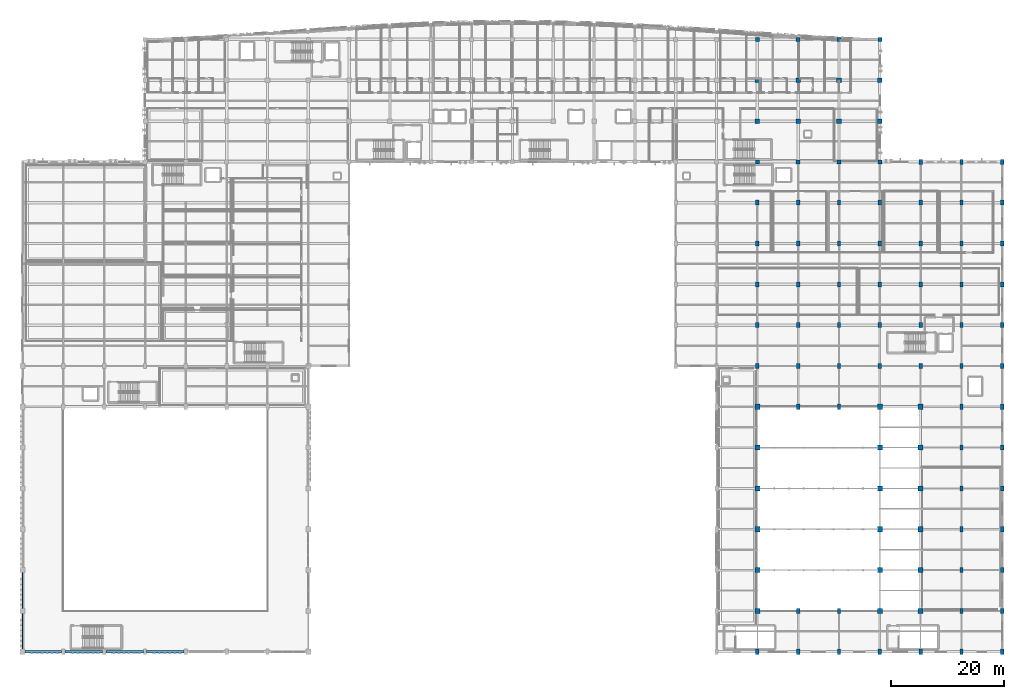
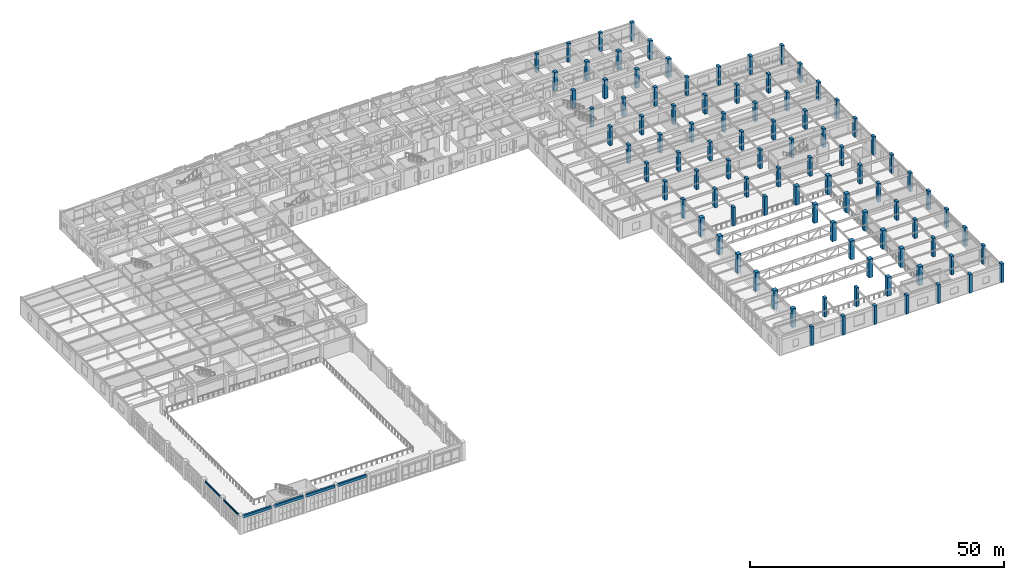
# One storey, part 11 of 106: 95 columns, 6 beams.
"""IFC4 building model written with IfcOpenShell, lengths in metres."""

from ifc_helpers import new_model, si_unit, direction, frame, origin, origin_2d, place, context, subcontext, project, spatial, rectangle, i_section, extrude, material, material_profile, profile_set, type_object, element, save


model = new_model("IFC4")

# Units and contexts
model_context = context("Model", 3, precision=1e-05, world=origin(), true_north=direction((0.0, 1.0)))
body_context = subcontext(model_context, "Body", "Model", "MODEL_VIEW")
ifc_project = project(units=[si_unit("LENGTHUNIT", "METRE"), si_unit("AREAUNIT", "SQUARE_METRE"), si_unit("VOLUMEUNIT", "CUBIC_METRE"), si_unit("PLANEANGLEUNIT", "RADIAN"), si_unit("MASSUNIT", "GRAM", prefix="KILO")], contexts=[model_context])

# Site, building, storey
site_placement = place(None, origin())
site = spatial("IfcSite", under=ifc_project, at=site_placement, CompositionType="ELEMENT")
building_placement = place(site_placement, origin())
building = spatial("IfcBuilding", under=site, at=building_placement, Name="Carrowvane Square Congress Hotel", CompositionType="ELEMENT")
storey_placement = place(building_placement, frame((0.0, 0.0, 10.5)))
storey = spatial("IfcBuildingStorey", under=building, at=storey_placement, Name="L02", CompositionType="ELEMENT", Elevation=10.5)

# Columns
ifc_material_1 = material(Name="Concrete C40/50", Category="concrete")
ifc_material_profile_1 = material_profile(ifc_material_1, rectangle(XDim=0.60009765625, YDim=0.89990234375, at=origin_2d()), Name="RC 600x900")
ifc_profile_set_1 = profile_set([ifc_material_profile_1], Name="Concrete C40/50")
column_type_1 = type_object("IfcColumnType", Name="COL-RC-600x900", PredefinedType="COLUMN", material=ifc_profile_set_1)
for number, where, z_axis, x_axis, name in (
    (1, (141.199951171875, 5.39990234375, 0.0), (0.0, 0.0, 1.0), (1.0, 0.0, 0.0), "L02 column 19/A"),
    (2, (141.199951171875, 55.800048828125, 0.0), (0.0, 0.0, 1.0), (1.0, 0.0, 0.0), "L02 column 19/H"),
    (3, (141.199951171875, 63.0, 0.0), (0.0, 0.0, 1.0), (1.0, 0.0, 0.0), "L02 column 19/J"),
    (4, (141.199951171875, 70.199951171875, 0.0), (0.0, 0.0, 1.0), (1.0, 0.0, 0.0), "L02 column 19/K"),
    (5, (141.199951171875, 77.39990234375, 0.0), (0.0, 0.0, 1.0), (1.0, 0.0, 0.0), "L02 column 19/L"),
    (6, (141.199951171875, 84.60009765625, 0.0), (0.0, 0.0, 1.0), (1.0, 0.0, 0.0), "L02 column 19/M"),
    (7, (148.39990234375, 5.39990234375, 0.0), (0.0, 0.0, 1.0), (1.0, 0.0, 0.0), "L02 column 20/A"),
    (8, (148.39990234375, 12.60009765625, 0.0), (0.0, 0.0, 1.0), (1.0, 0.0, 0.0), "L02 column 20/B"),
    (9, (148.39990234375, 48.60009765625, 0.0), (0.0, 0.0, 1.0), (1.0, 0.0, 0.0), "L02 column 20/G"),
    (10, (148.39990234375, 55.800048828125, 0.0), (0.0, 0.0, 1.0), (1.0, 0.0, 0.0), "L02 column 20/H"),
    (11, (148.39990234375, 63.0, 0.0), (0.0, 0.0, 1.0), (1.0, 0.0, 0.0), "L02 column 20/J"),
    (12, (148.39990234375, 70.199951171875, 0.0), (0.0, 0.0, 1.0), (1.0, 0.0, 0.0), "L02 column 20/K"),
    (13, (148.39990234375, 77.39990234375, 0.0), (0.0, 0.0, 1.0), (1.0, 0.0, 0.0), "L02 column 20/L"),
    (14, (148.39990234375, 84.60009765625, 0.0), (0.0, 0.0, 1.0), (1.0, 0.0, 0.0), "L02 column 20/M"),
    (15, (155.60009765625, 5.39990234375, 0.0), (0.0, 0.0, 1.0), (1.0, 0.0, 0.0), "L02 column 21/A"),
    (16, (155.60009765625, 12.60009765625, 0.0), (0.0, 0.0, 1.0), (1.0, 0.0, 0.0), "L02 column 21/B"),
    (17, (155.60009765625, 48.60009765625, 0.0), (0.0, 0.0, 1.0), (1.0, 0.0, 0.0), "L02 column 21/G"),
    (18, (155.60009765625, 55.800048828125, 0.0), (0.0, 0.0, 1.0), (1.0, 0.0, 0.0), "L02 column 21/H"),
    (19, (155.60009765625, 63.0, 0.0), (0.0, 0.0, 1.0), (1.0, 0.0, 0.0), "L02 column 21/J"),
    (20, (155.60009765625, 70.199951171875, 0.0), (0.0, 0.0, 1.0), (1.0, 0.0, 0.0), "L02 column 21/K"),
    (21, (155.60009765625, 77.39990234375, 0.0), (0.0, 0.0, 1.0), (1.0, 0.0, 0.0), "L02 column 21/L"),
    (22, (155.60009765625, 84.60009765625, 0.0), (0.0, 0.0, 1.0), (1.0, 0.0, 0.0), "L02 column 21/M"),
    (23, (162.800048828125, 5.39990234375, 0.0), (0.0, 0.0, 1.0), (1.0, 0.0, 0.0), "L02 column 22/A"),
    (24, (162.800048828125, 55.800048828125, 0.0), (0.0, 0.0, 1.0), (1.0, 0.0, 0.0), "L02 column 22/H"),
    (25, (162.800048828125, 63.0, 0.0), (0.0, 0.0, 1.0), (1.0, 0.0, 0.0), "L02 column 22/J"),
    (26, (162.800048828125, 70.199951171875, 0.0), (0.0, 0.0, 1.0), (1.0, 0.0, 0.0), "L02 column 22/K"),
    (27, (162.800048828125, 77.39990234375, 0.0), (0.0, 0.0, 1.0), (1.0, 0.0, 0.0), "L02 column 22/L"),
    (28, (162.800048828125, 84.60009765625, 0.0), (0.0, 0.0, 1.0), (1.0, 0.0, 0.0), "L02 column 22/M"),
    (29, (170.0, 5.39990234375, 0.0), (0.0, 0.0, 1.0), (1.0, 0.0, 0.0), "L02 column 23/A"),
    (30, (170.0, 55.800048828125, 0.0), (0.0, 0.0, 1.0), (1.0, 0.0, 0.0), "L02 column 23/H"),
    (31, (170.0, 63.0, 0.0), (0.0, 0.0, 1.0), (1.0, 0.0, 0.0), "L02 column 23/J"),
    (32, (170.0, 70.199951171875, 0.0), (0.0, 0.0, 1.0), (1.0, 0.0, 0.0), "L02 column 23/K"),
    (33, (170.0, 77.39990234375, 0.0), (0.0, 0.0, 1.0), (1.0, 0.0, 0.0), "L02 column 23/L"),
    (34, (170.0, 84.60009765625, 0.0), (0.0, 0.0, 1.0), (1.0, 0.0, 0.0), "L02 column 23/M"),
    (35, (170.0, 91.800048828125, 0.0), (0.0, 0.0, 1.0), (1.0, 0.0, 0.0), "L02 column 23/N"),
    (36, (177.199951171875, 5.39990234375, 0.0), (0.0, 0.0, 1.0), (1.0, 0.0, 0.0), "L02 column 24/A"),
    (37, (177.199951171875, 12.60009765625, 0.0), (0.0, 0.0, 1.0), (1.0, 0.0, 0.0), "L02 column 24/B"),
    (38, (177.199951171875, 19.800048828125, 0.0), (0.0, 0.0, 1.0), (1.0, 0.0, 0.0), "L02 column 24/C"),
    (39, (177.199951171875, 27.0, 0.0), (0.0, 0.0, 1.0), (1.0, 0.0, 0.0), "L02 column 24/D"),
    (40, (177.199951171875, 34.199951171875, 0.0), (0.0, 0.0, 1.0), (1.0, 0.0, 0.0), "L02 column 24/E"),
    (41, (177.199951171875, 41.39990234375, 0.0), (0.0, 0.0, 1.0), (1.0, 0.0, 0.0), "L02 column 24/F"),
    (42, (177.199951171875, 48.60009765625, 0.0), (0.0, 0.0, 1.0), (1.0, 0.0, 0.0), "L02 column 24/G"),
    (43, (177.199951171875, 55.800048828125, 0.0), (0.0, 0.0, 1.0), (1.0, 0.0, 0.0), "L02 column 24/H"),
    (44, (177.199951171875, 63.0, 0.0), (0.0, 0.0, 1.0), (1.0, 0.0, 0.0), "L02 column 24/J"),
    (45, (177.199951171875, 70.199951171875, 0.0), (0.0, 0.0, 1.0), (1.0, 0.0, 0.0), "L02 column 24/K"),
    (46, (177.199951171875, 77.39990234375, 0.0), (0.0, 0.0, 1.0), (1.0, 0.0, 0.0), "L02 column 24/L"),
    (47, (177.199951171875, 84.60009765625, 0.0), (0.0, 0.0, 1.0), (1.0, 0.0, 0.0), "L02 column 24/M"),
    (48, (177.199951171875, 91.800048828125, 0.0), (0.0, 0.0, 1.0), (1.0, 0.0, 0.0), "L02 column 24/N"),
    (49, (184.39990234375, 5.39990234375, 0.0), (0.0, 0.0, 1.0), (1.0, 0.0, 0.0), "L02 column 25/A"),
    (50, (184.39990234375, 12.60009765625, 0.0), (0.0, 0.0, 1.0), (1.0, 0.0, 0.0), "L02 column 25/B"),
    (51, (184.39990234375, 19.800048828125, 0.0), (0.0, 0.0, 1.0), (1.0, 0.0, 0.0), "L02 column 25/C"),
    (52, (184.39990234375, 27.0, 0.0), (0.0, 0.0, 1.0), (1.0, 0.0, 0.0), "L02 column 25/D"),
    (53, (184.39990234375, 34.199951171875, 0.0), (0.0, 0.0, 1.0), (1.0, 0.0, 0.0), "L02 column 25/E"),
    (54, (184.39990234375, 41.39990234375, 0.0), (0.0, 0.0, 1.0), (1.0, 0.0, 0.0), "L02 column 25/F"),
    (55, (184.39990234375, 48.60009765625, 0.0), (0.0, 0.0, 1.0), (1.0, 0.0, 0.0), "L02 column 25/G"),
    (56, (184.39990234375, 55.800048828125, 0.0), (0.0, 0.0, 1.0), (1.0, 0.0, 0.0), "L02 column 25/H"),
    (57, (184.39990234375, 63.0, 0.0), (0.0, 0.0, 1.0), (1.0, 0.0, 0.0), "L02 column 25/J"),
    (58, (184.39990234375, 70.199951171875, 0.0), (0.0, 0.0, 1.0), (1.0, 0.0, 0.0), "L02 column 25/K"),
    (59, (184.39990234375, 77.39990234375, 0.0), (0.0, 0.0, 1.0), (1.0, 0.0, 0.0), "L02 column 25/L"),
    (60, (184.39990234375, 84.60009765625, 0.0), (0.0, 0.0, 1.0), (1.0, 0.0, 0.0), "L02 column 25/M"),
    (61, (184.39990234375, 91.800048828125, 0.0), (0.0, 0.0, 1.0), (1.0, 0.0, 0.0), "L02 column 25/N"),
):
    element("IfcColumn", number, at=place(storey_placement, frame(where, z_axis=z_axis, x_axis=x_axis)), inside=storey, type_object=column_type_1, Name=name, PredefinedType="COLUMN", context=body_context, shape_type="SweptSolid", body=[
        extrude(rectangle(XDim=0.60009765625, YDim=0.89990234375, at=origin_2d()), origin(), (0.0, 0.0, 1.0), 4.5),
    ])
ifc_material_2 = material(Name="Concrete C40/50", Category="concrete")
ifc_material_profile_2 = material_profile(ifc_material_2, rectangle(XDim=0.699951171875, YDim=0.699951171875, at=origin_2d()), Name="RC 700x700")
ifc_profile_set_2 = profile_set([ifc_material_profile_2], Name="Concrete C40/50")
column_type_2 = type_object("IfcColumnType", Name="COL-RC-700", PredefinedType="COLUMN", material=ifc_profile_set_2)
for number, where, z_axis, x_axis, name in (
    (62, (141.199951171875, 91.800048828125, 0.0), (0.0, 0.0, 1.0), (1.0, 0.0, 0.0), "L02 column 19/N"),
    (63, (141.199951171875, 113.39990234375, 0.0), (0.0, 0.0, 1.0), (1.0, 0.0, 0.0), "L02 column 19/R"),
    (64, (148.39990234375, 91.800048828125, 0.0), (0.0, 0.0, 1.0), (1.0, 0.0, 0.0), "L02 column 20/N"),
    (65, (148.39990234375, 113.39990234375, 0.0), (0.0, 0.0, 1.0), (1.0, 0.0, 0.0), "L02 column 20/R"),
    (66, (155.60009765625, 91.800048828125, 0.0), (0.0, 0.0, 1.0), (1.0, 0.0, 0.0), "L02 column 21/N"),
    (67, (155.60009765625, 113.39990234375, 0.0), (0.0, 0.0, 1.0), (1.0, 0.0, 0.0), "L02 column 21/R"),
    (68, (162.800048828125, 91.800048828125, 0.0), (0.0, 0.0, 1.0), (1.0, 0.0, 0.0), "L02 column 22/N"),
    (69, (162.800048828125, 113.39990234375, 0.0), (0.0, 0.0, 1.0), (1.0, 0.0, 0.0), "L02 column 22/R"),
):
    element("IfcColumn", number, at=place(storey_placement, frame(where, z_axis=z_axis, x_axis=x_axis)), inside=storey, type_object=column_type_2, Name=name, PredefinedType="COLUMN", context=body_context, shape_type="SweptSolid", body=[
        extrude(rectangle(XDim=0.699951171875, YDim=0.699951171875, at=origin_2d()), origin(), (0.0, 0.0, 1.0), 4.5),
    ])
ifc_material_3 = material(Name="Concrete C40/50", Category="concrete")
ifc_material_profile_3 = material_profile(ifc_material_3, rectangle(XDim=0.800048828125, YDim=0.800048828125, at=origin_2d()), Name="RC 800x800")
ifc_profile_set_3 = profile_set([ifc_material_profile_3], Name="Concrete C40/50")
column_type_3 = type_object("IfcColumnType", Name="COL-RC-800", PredefinedType="COLUMN", material=ifc_profile_set_3)
for number, where, z_axis, x_axis, name in (
    (70, (141.199951171875, 99.0, 0.0), (0.0, 0.0, 1.0), (1.0, 0.0, 0.0), "L02 column 19/P"),
    (71, (141.199951171875, 106.199951171875, 0.0), (0.0, 0.0, 1.0), (1.0, 0.0, 0.0), "L02 column 19/Q"),
    (72, (148.39990234375, 99.0, 0.0), (0.0, 0.0, 1.0), (1.0, 0.0, 0.0), "L02 column 20/P"),
    (73, (148.39990234375, 106.199951171875, 0.0), (0.0, 0.0, 1.0), (1.0, 0.0, 0.0), "L02 column 20/Q"),
    (74, (155.60009765625, 99.0, 0.0), (0.0, 0.0, 1.0), (1.0, 0.0, 0.0), "L02 column 21/P"),
    (75, (155.60009765625, 106.199951171875, 0.0), (0.0, 0.0, 1.0), (1.0, 0.0, 0.0), "L02 column 21/Q"),
    (76, (162.800048828125, 99.0, 0.0), (0.0, 0.0, 1.0), (1.0, 0.0, 0.0), "L02 column 22/P"),
    (77, (162.800048828125, 106.199951171875, 0.0), (0.0, 0.0, 1.0), (1.0, 0.0, 0.0), "L02 column 22/Q"),
):
    element("IfcColumn", number, at=place(storey_placement, frame(where, z_axis=z_axis, x_axis=x_axis)), inside=storey, type_object=column_type_3, Name=name, PredefinedType="COLUMN", context=body_context, shape_type="SweptSolid", body=[
        extrude(rectangle(XDim=0.800048828125, YDim=0.800048828125, at=origin_2d()), origin(), (0.0, 0.0, 1.0), 4.5),
    ])
ifc_material_4 = material(Name="Concrete C40/50", Category="concrete")
ifc_material_profile_4 = material_profile(ifc_material_4, rectangle(XDim=0.89990234375, YDim=0.89990234375, at=origin_2d()), Name="RC 900x900")
ifc_profile_set_4 = profile_set([ifc_material_profile_4], Name="Concrete C40/50")
column_type_4 = type_object("IfcColumnType", Name="MCOL-RC-900", PredefinedType="COLUMN", material=ifc_profile_set_4)
for number, where, z_axis, x_axis, name in (
    (78, (141.199951171875, 12.60009765625, 0.0), (0.0, 0.0, 1.0), (1.0, 0.0, 0.0), "L02 column 19/B"),
    (79, (141.199951171875, 19.800048828125, 0.0), (0.0, 0.0, 1.0), (1.0, 0.0, 0.0), "L02 column 19/C"),
    (80, (141.199951171875, 27.0, 0.0), (0.0, 0.0, 1.0), (1.0, 0.0, 0.0), "L02 column 19/D"),
    (81, (141.199951171875, 34.199951171875, 0.0), (0.0, 0.0, 1.0), (1.0, 0.0, 0.0), "L02 column 19/E"),
    (82, (141.199951171875, 41.39990234375, 0.0), (0.0, 0.0, 1.0), (1.0, 0.0, 0.0), "L02 column 19/F"),
    (83, (141.199951171875, 48.60009765625, 0.0), (0.0, 0.0, 1.0), (1.0, 0.0, 0.0), "L02 column 19/G"),
    (84, (162.800048828125, 12.60009765625, 0.0), (0.0, 0.0, 1.0), (1.0, 0.0, 0.0), "L02 column 22/B"),
    (85, (162.800048828125, 19.800048828125, 0.0), (0.0, 0.0, 1.0), (1.0, 0.0, 0.0), "L02 column 22/C"),
    (86, (162.800048828125, 27.0, 0.0), (0.0, 0.0, 1.0), (1.0, 0.0, 0.0), "L02 column 22/D"),
    (87, (162.800048828125, 34.199951171875, 0.0), (0.0, 0.0, 1.0), (1.0, 0.0, 0.0), "L02 column 22/E"),
    (88, (162.800048828125, 41.39990234375, 0.0), (0.0, 0.0, 1.0), (1.0, 0.0, 0.0), "L02 column 22/F"),
    (89, (162.800048828125, 48.60009765625, 0.0), (0.0, 0.0, 1.0), (1.0, 0.0, 0.0), "L02 column 22/G"),
    (90, (170.0, 12.60009765625, 0.0), (0.0, 0.0, 1.0), (1.0, 0.0, 0.0), "L02 column 23/B"),
    (91, (170.0, 19.800048828125, 0.0), (0.0, 0.0, 1.0), (1.0, 0.0, 0.0), "L02 column 23/C"),
    (92, (170.0, 27.0, 0.0), (0.0, 0.0, 1.0), (1.0, 0.0, 0.0), "L02 column 23/D"),
    (93, (170.0, 34.199951171875, 0.0), (0.0, 0.0, 1.0), (1.0, 0.0, 0.0), "L02 column 23/E"),
    (94, (170.0, 41.39990234375, 0.0), (0.0, 0.0, 1.0), (1.0, 0.0, 0.0), "L02 column 23/F"),
    (95, (170.0, 48.60009765625, 0.0), (0.0, 0.0, 1.0), (1.0, 0.0, 0.0), "L02 column 23/G"),
):
    element("IfcColumn", number, at=place(storey_placement, frame(where, z_axis=z_axis, x_axis=x_axis)), inside=storey, type_object=column_type_4, Name=name, PredefinedType="COLUMN", context=body_context, shape_type="SweptSolid", body=[
        extrude(rectangle(XDim=0.89990234375, YDim=0.89990234375, at=origin_2d()), origin(), (0.0, 0.0, 1.0), 4.5),
    ])

# Beams
ifc_material_5 = material(Name="Steel S355", Category="steel")
ifc_material_profile_5 = material_profile(ifc_material_5, i_section(OverallWidth=0.19140625, OverallDepth=0.4599609375, WebThickness=0.010009765625, FlangeThickness=0.01611328125, FilletRadius=0.01025390625, at=origin_2d()), Name="UKB 457x191x82")
ifc_profile_set_5 = profile_set([ifc_material_profile_5], Name="Steel S355")
beam_type_1 = type_object("IfcBeamType", Name="BM-ST-UKB457", PredefinedType="SPANDREL", material=ifc_profile_set_5)
beam_1_placement = place(storey_placement, frame((11.60009765625, 5.85009765625, 3.989990234375), z_axis=(0.0, 1.0, 0.0), x_axis=(-1.0, 0.0, 0.0)))
element("IfcBeam", 96, at=beam_1_placement, inside=storey, type_object=beam_type_1, Name="L03 girder 1/A-B", PredefinedType="SPANDREL", context=body_context, shape_type="SweptSolid", body=[
    extrude(i_section(OverallWidth=0.19140625, OverallDepth=0.4599609375, WebThickness=0.010009765625, FlangeThickness=0.01611328125, FilletRadius=0.01025390625, at=origin_2d()), origin(), (0.0, 0.0, 1.0), 6.2998046875),
])
beam_2_placement = place(storey_placement, frame((11.60009765625, 13.050048828125, 3.989990234375), z_axis=(0.0, 1.0, 0.0), x_axis=(-1.0, 0.0, 0.0)))
element("IfcBeam", 97, at=beam_2_placement, inside=storey, type_object=beam_type_1, Name="L03 girder 1/B-C", PredefinedType="SPANDREL", context=body_context, shape_type="SweptSolid", body=[
    extrude(i_section(OverallWidth=0.19140625, OverallDepth=0.4599609375, WebThickness=0.010009765625, FlangeThickness=0.01611328125, FilletRadius=0.01025390625, at=origin_2d()), origin(), (0.0, 0.0, 1.0), 6.300048828125),
])
ifc_material_6 = material(Name="Concrete C35/45", Category="concrete")
ifc_material_profile_6 = material_profile(ifc_material_6, rectangle(XDim=0.39990234375, YDim=0.64990234375, at=origin_2d()), Name="RC 400x650")
ifc_profile_set_6 = profile_set([ifc_material_profile_6], Name="Concrete C35/45")
beam_type_2 = type_object("IfcBeamType", Name="SP-RC-400x650", PredefinedType="SPANDREL", material=ifc_profile_set_6)
beam_3_placement = place(storey_placement, frame((12.050048828125, 5.39990234375, 3.89501953125), z_axis=(1.0, 0.0, 0.0), x_axis=(0.0, 1.0, 0.0)))
element("IfcBeam", 98, at=beam_3_placement, inside=storey, type_object=beam_type_2, Name="L03 girder A/1-2", PredefinedType="SPANDREL", context=body_context, shape_type="SweptSolid", body=[
    extrude(rectangle(XDim=0.39990234375, YDim=0.64990234375, at=origin_2d()), origin(), (0.0, 0.0, 1.0), 6.449951171875),
])
for number, where, z_axis, x_axis, name in (
    (99, (19.10009765625, 5.39990234375, 3.89501953125), (1.0, 0.0, 0.0), (0.0, 1.0, 0.0), "L03 girder A/2-3"),
    (100, (26.300048828125, 5.39990234375, 3.89501953125), (1.0, 0.0, 0.0), (0.0, 1.0, 0.0), "L03 girder A/3-4"),
):
    element("IfcBeam", number, at=place(storey_placement, frame(where, z_axis=z_axis, x_axis=x_axis)), inside=storey, type_object=beam_type_2, Name=name, PredefinedType="SPANDREL", context=body_context, shape_type="SweptSolid", body=[
        extrude(rectangle(XDim=0.39990234375, YDim=0.64990234375, at=origin_2d()), origin(), (0.0, 0.0, 1.0), 6.599853515625),
    ])
beam_4_placement = place(storey_placement, frame((33.5, 5.39990234375, 3.89501953125), z_axis=(1.0, 0.0, 0.0), x_axis=(0.0, 1.0, 0.0)))
element("IfcBeam", 101, at=beam_4_placement, inside=storey, type_object=beam_type_2, Name="L03 girder A/4-5", PredefinedType="SPANDREL", context=body_context, shape_type="SweptSolid", body=[
    extrude(rectangle(XDim=0.39990234375, YDim=0.64990234375, at=origin_2d()), origin(), (0.0, 0.0, 1.0), 6.60009765625),
])

save(model, "model.ifc")
